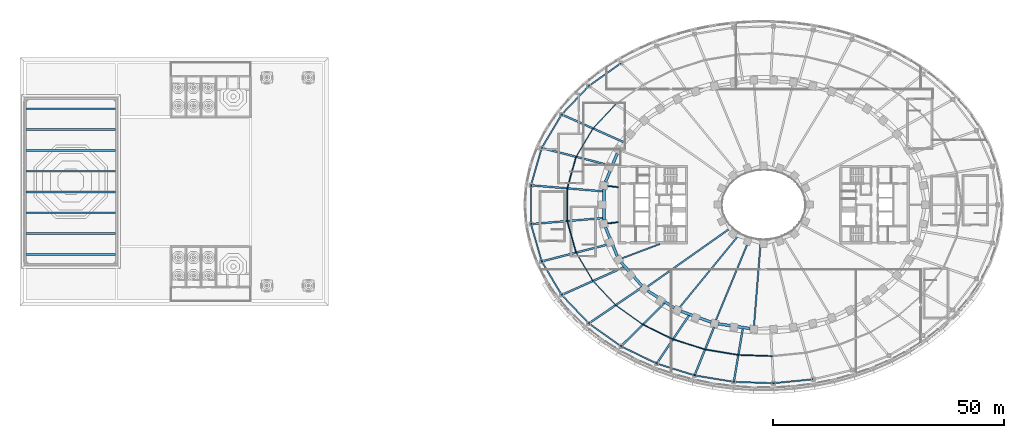
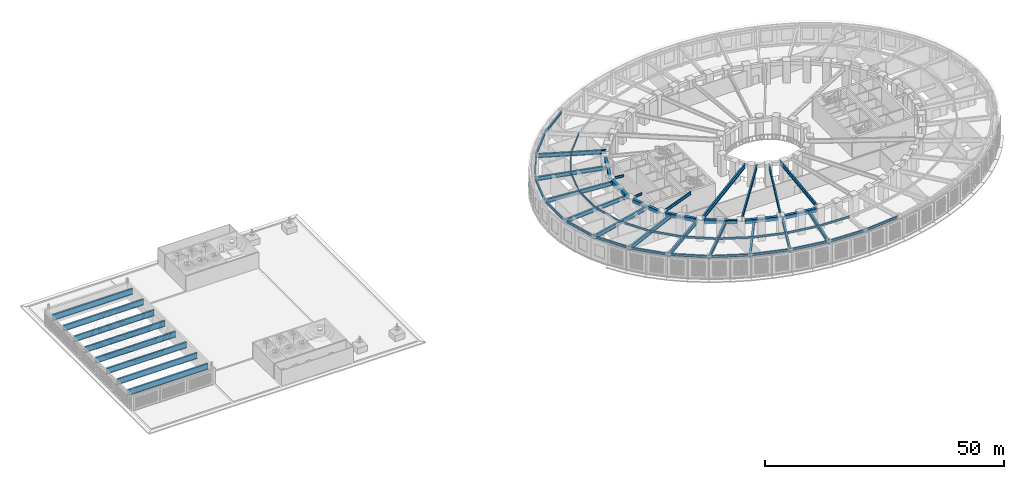
# One storey, part 3 of 63: 59 beams.
"""IFC4 building model written with IfcOpenShell, lengths in metres."""

import ifcopenshell
import ifcopenshell.guid

model = None  # the IFC model being written
_history = None  # IfcOwnerHistory: only IFC2X3 demands one
_inside = {}  # id of a spatial element -> (the spatial element, [elements in it])
_under = {}  # id of a project, library or spatial element -> (it, [spatial elements below it])
_declared = {}  # id of a project -> (the project, [libraries it declares])
_typed = {}  # id of a type object -> (the type object, [elements of that type])
_made_of = {}  # id of a material, layer set ... -> (it, [elements and type objects made of it])


def new_model(schema):
    """Start an empty IFC model of exactly this schema.

    Asked for "IFC4X3", IfcOpenShell would pick the latest addendum, in which some entities
    have other attributes; the version numbers below select the first issue.
    IFC2X3 requires an IfcOwnerHistory on every rooted entity: one is made here for all.
    """
    global model, _history
    if schema == "IFC4X3":
        model = ifcopenshell.file(schema_version=(4, 3, 0, 0))
    else:
        model = ifcopenshell.file(schema=schema)
    _inside.clear()
    _under.clear()
    _declared.clear()
    _typed.clear()
    _made_of.clear()
    _history = None
    if model.schema == "IFC2X3":
        org = make("IfcOrganization", Name="unknown")
        user = make(
            "IfcPersonAndOrganization",
            ThePerson=make("IfcPerson", FamilyName="unknown"),
            TheOrganization=org,
        )
        app = make(
            "IfcApplication",
            ApplicationDeveloper=org,
            Version="unknown",
            ApplicationFullName="unknown",
            ApplicationIdentifier="unknown",
        )
        _history = make(
            "IfcOwnerHistory",
            OwningUser=user,
            OwningApplication=app,
            ChangeAction="ADDED",
            CreationDate=0,
        )
    return model


def make(cls, **values):
    """One entity of the class cls with the attributes given. An attribute that is None is left unset."""
    return model.create_entity(
        cls, **{name: value for name, value in values.items() if value is not None}
    )


def rooted(cls, **values):
    """An entity with a GlobalId (a new one), such as an element, a storey or a relation."""
    return make(cls, GlobalId=ifcopenshell.guid.new(), OwnerHistory=_history, **values)


def si_unit(unit_type, name, prefix=None):
    """IfcSIUnit, for example si_unit("LENGTHUNIT", "METRE", prefix="MILLI")."""
    return make("IfcSIUnit", UnitType=unit_type, Prefix=prefix, Name=name)


def assignment(units):
    """IfcUnitAssignment: the units of a project."""
    return None if units is None else make("IfcUnitAssignment", Units=units)


def point(xyz):
    """IfcCartesianPoint."""
    return None if xyz is None else make("IfcCartesianPoint", Coordinates=xyz)


def direction(xyz):
    """IfcDirection."""
    return None if xyz is None else make("IfcDirection", DirectionRatios=xyz)


def frame(location, z_axis=None, x_axis=None):
    """IfcAxis2Placement3D, a coordinate frame: its origin and axes. An axis left out is left unset."""
    return make(
        "IfcAxis2Placement3D",
        Location=point(location),
        Axis=direction(z_axis),
        RefDirection=direction(x_axis),
    )


def frame_2d(location, x_axis=None):
    """IfcAxis2Placement2D, a coordinate frame in the plane: its origin and x axis."""
    return make(
        "IfcAxis2Placement2D", Location=point(location), RefDirection=direction(x_axis)
    )


def origin():
    """The frame at (0, 0, 0) with its axes left unset."""
    return frame((0.0, 0.0, 0.0))


def origin_2d():
    """The frame at (0, 0) in the plane with its x axis left unset."""
    return frame_2d((0.0, 0.0))


def place(relative_to, where):
    """IfcLocalPlacement: puts the frame where relative to a parent placement (None: the world)."""
    return make(
        "IfcLocalPlacement", PlacementRelTo=relative_to, RelativePlacement=where
    )


def context(
    kind, dimensions, precision=None, world=None, true_north=None, identifier=None
):
    """IfcGeometricRepresentationContext, for example the 3D "Model" context."""
    return make(
        "IfcGeometricRepresentationContext",
        ContextIdentifier=identifier,
        ContextType=kind,
        CoordinateSpaceDimension=dimensions,
        Precision=precision,
        WorldCoordinateSystem=world,
        TrueNorth=true_north,
    )


def subcontext(parent, identifier, kind, view, scale=None):
    """IfcGeometricRepresentationSubContext, for example "Body" below "Model"."""
    return make(
        "IfcGeometricRepresentationSubContext",
        ContextIdentifier=identifier,
        ContextType=kind,
        ParentContext=parent,
        TargetScale=scale,
        TargetView=view,
    )


def project(units=None, contexts=None):
    """IfcProject with its units and contexts."""
    return rooted(
        "IfcProject",
        Name="project",
        RepresentationContexts=contexts,
        UnitsInContext=assignment(units),
    )


def spatial(cls, under=None, at=None, **own):
    """A site, building, storey or space (cls), placed at a placement, below another one or the project."""
    s = rooted(cls, ObjectPlacement=at, **own)
    if under is not None:
        _under.setdefault(under.id(), (under, []))[1].append(s)
    return s


def profile(cls, at=None, kind="AREA", **sizes):
    """A parametric profile (cls). Its sizes go by their IFC names, for example OverallWidth=200.0."""
    return make(cls, ProfileType=kind, Position=at, **sizes)


def rectangle(**sizes):
    """IfcRectangleProfileDef."""
    return profile("IfcRectangleProfileDef", **sizes)


def i_section(**sizes):
    """IfcIShapeProfileDef."""
    return profile("IfcIShapeProfileDef", **sizes)


def extrude(swept, where, along, depth):
    """IfcExtrudedAreaSolid: the profile swept, set in the frame where, extruded along a direction by depth."""
    return make(
        "IfcExtrudedAreaSolid",
        SweptArea=swept,
        Position=where,
        ExtrudedDirection=direction(along),
        Depth=depth,
    )


def shape(context_of_items, identifier, shape_type, items):
    """IfcShapeRepresentation: the items that make up one representation, for example the "Body"."""
    return make(
        "IfcShapeRepresentation",
        ContextOfItems=context_of_items,
        RepresentationIdentifier=identifier,
        RepresentationType=shape_type,
        Items=items,
    )


def material(Name=None, Category=None):
    """IfcMaterial."""
    return make("IfcMaterial", Name=Name, Category=Category)


def material_profile(
    of_material, cross_section, Name=None, Category=None, Priority=None
):
    """IfcMaterialProfile: a cross section and its material."""
    return make(
        "IfcMaterialProfile",
        Name=Name,
        Material=of_material,
        Profile=cross_section,
        Priority=Priority,
        Category=Category,
    )


def profile_set(profiles, Name=None, composite=None):
    """IfcMaterialProfileSet."""
    return make(
        "IfcMaterialProfileSet",
        Name=Name,
        MaterialProfiles=profiles,
        CompositeProfile=composite,
    )


def made_of(thing, what):
    """Note that an element or type object is made of a material, layer set ...; save() writes the relation."""
    if what is not None:
        _made_of.setdefault(what.id(), (what, []))[1].append(thing)
    return thing


def type_object(cls, material=None, **own):
    """A type object (cls), such as IfcWallType, which elements share."""
    return made_of(rooted(cls, **own), material)


def element(
    cls,
    number,
    at=None,
    inside=None,
    cuts=None,
    type_object=None,
    material=None,
    context=None,
    identifier="Body",
    shape_type=None,
    held_by="IfcProductDefinitionShape",
    body=None,
    shapes=None,
    **own,
):
    """One element of the class cls, such as IfcWall. Its Tag is "e" and its number.

    at: its placement. inside: the storey or other place that contains it. cuts: it is an
    opening in that element (IfcRelVoidsElement). A single representation is given by context,
    identifier, shape_type and body (its items); several are given by shapes. held_by: the class
    of the entity that holds the representations. save() writes the other relations.
    """
    e = rooted(cls, Tag="e%d" % number, ObjectPlacement=at, **own)
    if body is not None:
        shapes = [shape(context, identifier, shape_type, body)]
    if shapes is not None:
        e.Representation = make(held_by, Representations=shapes)
    if inside is not None:
        _inside.setdefault(inside.id(), (inside, []))[1].append(e)
    if cuts is not None:
        rooted(
            "IfcRelVoidsElement", RelatingBuildingElement=cuts, RelatedOpeningElement=e
        )
    if type_object is not None:
        _typed.setdefault(type_object.id(), (type_object, []))[1].append(e)
    return made_of(e, material)


def aggregate(whole, parts):
    """IfcRelAggregates: a whole, such as a stair, and the parts it consists of."""
    return rooted("IfcRelAggregates", RelatingObject=whole, RelatedObjects=parts)


def save(model, path):
    """Write the relations noted so far, then the file.

    IfcRelAggregates (storeys below a building ...), IfcRelContainedInSpatialStructure (elements
    in a storey), IfcRelDefinesByType, IfcRelAssociatesMaterial and IfcRelDeclares: one each for
    every whole, place, type object, material and project.
    """
    for whole, parts in _under.values():
        aggregate(whole, parts)
    for where, things in _inside.values():
        rooted(
            "IfcRelContainedInSpatialStructure",
            RelatedElements=things,
            RelatingStructure=where,
        )
    for kind, things in _typed.values():
        rooted("IfcRelDefinesByType", RelatedObjects=things, RelatingType=kind)
    for what, things in _made_of.values():
        rooted("IfcRelAssociatesMaterial", RelatedObjects=things, RelatingMaterial=what)
    for by, libraries in _declared.values():
        rooted("IfcRelDeclares", RelatingContext=by, RelatedDefinitions=libraries)
    model.write(path)


model = new_model("IFC4")

# Units and contexts
model_context = context("Model", 3, precision=1e-05, world=origin(), true_north=direction((0.0, 1.0)))
body_context = subcontext(model_context, "Body", "Model", "MODEL_VIEW")
ifc_project = project(units=[si_unit("LENGTHUNIT", "METRE"), si_unit("AREAUNIT", "SQUARE_METRE"), si_unit("VOLUMEUNIT", "CUBIC_METRE"), si_unit("PLANEANGLEUNIT", "RADIAN"), si_unit("MASSUNIT", "GRAM", prefix="KILO")], contexts=[model_context])

# Site, building, storey
site_placement = place(None, origin())
site = spatial("IfcSite", under=ifc_project, at=site_placement, CompositionType="ELEMENT")
building_placement = place(site_placement, origin())
building = spatial("IfcBuilding", under=site, at=building_placement, Name="Noorbagh Ring Tower", CompositionType="ELEMENT")
storey_placement = place(building_placement, frame((0.0, 0.0, 25.0)))
storey = spatial("IfcBuildingStorey", under=building, at=storey_placement, Name="L04", CompositionType="ELEMENT", Elevation=25.0)

# Beams
ifc_material_1 = material(Name="Steel S355", Category="steel")
ifc_material_profile_1 = material_profile(ifc_material_1, i_section(OverallWidth=0.300048828125, OverallDepth=0.60009765625, WebThickness=0.015380859375, FlangeThickness=0.030029296875, FilletRadius=0.027099609375, at=origin_2d()), Name="HEB600")
ifc_profile_set_1 = profile_set([ifc_material_profile_1], Name="Steel S355")
beam_type_1 = type_object("IfcBeamType", Name="GND-EDGE-BEAM-HEB600", PredefinedType="BEAM", material=ifc_profile_set_1)
beam_1_placement = place(storey_placement, frame((-30.869384765625, 30.629150390625, 4.89990234375), z_axis=(-0.815104059745, -0.579314570667, 0.0), x_axis=(0.579314570667, -0.815104059745, 0.0)))
element("IfcBeam", 1, at=beam_1_placement, inside=storey, type_object=beam_type_1, Name="L04/bm/ERP-13", PredefinedType="BEAM", context=body_context, shape_type="SweptSolid", body=[
    extrude(i_section(OverallWidth=0.300048828125, OverallDepth=0.60009765625, WebThickness=0.015380859375, FlangeThickness=0.030029296875, FilletRadius=0.027099609375, at=origin_2d()), origin(), (0.0, 0.0, 1.0), 8.543212890625),
])
beam_2_placement = place(storey_placement, frame((-37.8330078125, 25.679931640625, 4.89990234375), z_axis=(-0.689738356688, -0.724058698804, 0.0), x_axis=(0.724058698804, -0.689738356688, 0.0)))
element("IfcBeam", 2, at=beam_2_placement, inside=storey, type_object=beam_type_1, Name="L04/bm/ERP-14", PredefinedType="BEAM", context=body_context, shape_type="SweptSolid", body=[
    extrude(i_section(OverallWidth=0.300048828125, OverallDepth=0.60009765625, WebThickness=0.015380859375, FlangeThickness=0.030029296875, FilletRadius=0.027099609375, at=origin_2d()), origin(), (0.0, 0.0, 1.0), 8.500732421875),
])
beam_3_placement = place(storey_placement, frame((-43.6962890625, 19.52490234375, 4.89990234375), z_axis=(-0.511999358166, -0.858985830638, 0.0), x_axis=(0.858985830638, -0.511999358166, 0.0)))
element("IfcBeam", 3, at=beam_3_placement, inside=storey, type_object=beam_type_1, Name="L04/bm/ERP-15", PredefinedType="BEAM", context=body_context, shape_type="SweptSolid", body=[
    extrude(i_section(OverallWidth=0.300048828125, OverallDepth=0.60009765625, WebThickness=0.015380859375, FlangeThickness=0.030029296875, FilletRadius=0.027099609375, at=origin_2d()), origin(), (0.0, 0.0, 1.0), 8.449462890625),
])
beam_4_placement = place(storey_placement, frame((-48.0224609375, 12.266845703125, 4.89990234375), z_axis=(-0.276646874617, -0.960971647222, 0.0), x_axis=(0.960971647222, -0.276646874617, 0.0)))
element("IfcBeam", 4, at=beam_4_placement, inside=storey, type_object=beam_type_1, Name="L04/bm/ERP-16", PredefinedType="BEAM", context=body_context, shape_type="SweptSolid", body=[
    extrude(i_section(OverallWidth=0.300048828125, OverallDepth=0.60009765625, WebThickness=0.015380859375, FlangeThickness=0.030029296875, FilletRadius=0.027099609375, at=origin_2d()), origin(), (0.0, 0.0, 1.0), 8.403076171875),
])
beam_5_placement = place(storey_placement, frame((-50.34716796875, 4.191650390625, 4.89990234375), z_axis=(0.0, -1.0, 0.0), x_axis=(1.0, 0.0, 0.0)))
element("IfcBeam", 5, at=beam_5_placement, inside=storey, type_object=beam_type_1, Name="L04/bm/ERP-17", PredefinedType="BEAM", context=body_context, shape_type="SweptSolid", body=[
    extrude(i_section(OverallWidth=0.300048828125, OverallDepth=0.60009765625, WebThickness=0.015380859375, FlangeThickness=0.030029296875, FilletRadius=0.027099609375, at=origin_2d()), origin(), (0.0, 0.0, 1.0), 8.38330078125),
])
beam_6_placement = place(storey_placement, frame((-50.34716796875, -4.191650390625, 4.89990234375), z_axis=(0.276646874617, -0.960971647222, 0.0), x_axis=(0.960971647222, 0.276646874617, 0.0)))
element("IfcBeam", 6, at=beam_6_placement, inside=storey, type_object=beam_type_1, Name="L04/bm/ERP-18", PredefinedType="BEAM", context=body_context, shape_type="SweptSolid", body=[
    extrude(i_section(OverallWidth=0.300048828125, OverallDepth=0.60009765625, WebThickness=0.015380859375, FlangeThickness=0.030029296875, FilletRadius=0.027099609375, at=origin_2d()), origin(), (0.0, 0.0, 1.0), 8.403076171875),
])
beam_7_placement = place(storey_placement, frame((-48.0224609375, -12.266845703125, 4.89990234375), z_axis=(0.511999358166, -0.858985830638, 0.0), x_axis=(0.858985830638, 0.511999358166, 0.0)))
element("IfcBeam", 7, at=beam_7_placement, inside=storey, type_object=beam_type_1, Name="L04/bm/ERP-19", PredefinedType="BEAM", context=body_context, shape_type="SweptSolid", body=[
    extrude(i_section(OverallWidth=0.300048828125, OverallDepth=0.60009765625, WebThickness=0.015380859375, FlangeThickness=0.030029296875, FilletRadius=0.027099609375, at=origin_2d()), origin(), (0.0, 0.0, 1.0), 8.449462890625),
])
beam_8_placement = place(storey_placement, frame((-43.6962890625, -19.52490234375, 4.89990234375), z_axis=(0.689738356688, -0.724058698804, 0.0), x_axis=(0.724058698804, 0.689738356688, 0.0)))
element("IfcBeam", 8, at=beam_8_placement, inside=storey, type_object=beam_type_1, Name="L04/bm/ERP-20", PredefinedType="BEAM", context=body_context, shape_type="SweptSolid", body=[
    extrude(i_section(OverallWidth=0.300048828125, OverallDepth=0.60009765625, WebThickness=0.015380859375, FlangeThickness=0.030029296875, FilletRadius=0.027099609375, at=origin_2d()), origin(), (0.0, 0.0, 1.0), 8.500732421875),
])
beam_9_placement = place(storey_placement, frame((-37.8330078125, -25.679931640625, 4.89990234375), z_axis=(0.815104059745, -0.579314570667, 0.0), x_axis=(0.579314570667, 0.815104059745, 0.0)))
element("IfcBeam", 9, at=beam_9_placement, inside=storey, type_object=beam_type_1, Name="L04/bm/ERP-21", PredefinedType="BEAM", context=body_context, shape_type="SweptSolid", body=[
    extrude(i_section(OverallWidth=0.300048828125, OverallDepth=0.60009765625, WebThickness=0.015380859375, FlangeThickness=0.030029296875, FilletRadius=0.027099609375, at=origin_2d()), origin(), (0.0, 0.0, 1.0), 8.543212890625),
])
beam_10_placement = place(storey_placement, frame((-30.869384765625, -30.629150390625, 4.89990234375), z_axis=(0.89994920641, -0.435994754421, 0.0), x_axis=(0.435994754421, 0.89994920641, 0.0)))
element("IfcBeam", 10, at=beam_10_placement, inside=storey, type_object=beam_type_1, Name="L04/bm/ERP-22", PredefinedType="BEAM", context=body_context, shape_type="SweptSolid", body=[
    extrude(i_section(OverallWidth=0.300048828125, OverallDepth=0.60009765625, WebThickness=0.015380859375, FlangeThickness=0.030029296875, FilletRadius=0.027099609375, at=origin_2d()), origin(), (0.0, 0.0, 1.0), 8.57470703125),
])
beam_11_placement = place(storey_placement, frame((-23.152587890625, -34.36767578125, 4.89990234375), z_axis=(0.954717204091, -0.297514806713, 0.0), x_axis=(0.297514806713, 0.954717204091, 0.0)))
element("IfcBeam", 11, at=beam_11_placement, inside=storey, type_object=beam_type_1, Name="L04/bm/ERP-23", PredefinedType="BEAM", context=body_context, shape_type="SweptSolid", body=[
    extrude(i_section(OverallWidth=0.300048828125, OverallDepth=0.60009765625, WebThickness=0.015380859375, FlangeThickness=0.030029296875, FilletRadius=0.027099609375, at=origin_2d()), origin(), (0.0, 0.0, 1.0), 8.595703125),
])
beam_12_placement = place(storey_placement, frame((-14.946044921875, -36.925048828125, 4.89990234375), z_axis=(0.986523163949, -0.163621658075, 0.0), x_axis=(0.163621658075, 0.986523163949, 0.0)))
element("IfcBeam", 12, at=beam_12_placement, inside=storey, type_object=beam_type_1, Name="L04/bm/ERP-24", PredefinedType="BEAM", context=body_context, shape_type="SweptSolid", body=[
    extrude(i_section(OverallWidth=0.300048828125, OverallDepth=0.60009765625, WebThickness=0.015380859375, FlangeThickness=0.030029296875, FilletRadius=0.027099609375, at=origin_2d()), origin(), (0.0, 0.0, 1.0), 8.60791015625),
])
beam_13_placement = place(storey_placement, frame((-6.4541015625, -38.33349609375, 4.89990234375), z_axis=(0.999468589483, -0.032596604688, 0.0), x_axis=(0.032596604688, 0.999468589483, 0.0)))
element("IfcBeam", 13, at=beam_13_placement, inside=storey, type_object=beam_type_1, Name="L04/bm/ERP-25", PredefinedType="BEAM", context=body_context, shape_type="SweptSolid", body=[
    extrude(i_section(OverallWidth=0.300048828125, OverallDepth=0.60009765625, WebThickness=0.015380859375, FlangeThickness=0.030029296875, FilletRadius=0.027099609375, at=origin_2d()), origin(), (0.0, 0.0, 1.0), 8.61328125),
])
beam_14_placement = place(storey_placement, frame((2.154541015625, -38.6142578125, 4.89990234375), z_axis=(0.9951967317, 0.097895174616, 0.0), x_axis=(-0.097895174616, 0.9951967317, 0.0)))
element("IfcBeam", 14, at=beam_14_placement, inside=storey, type_object=beam_type_1, Name="L04/bm/ERP-26", PredefinedType="BEAM", context=body_context, shape_type="SweptSolid", body=[
    extrude(i_section(OverallWidth=0.300048828125, OverallDepth=0.60009765625, WebThickness=0.015380859375, FlangeThickness=0.030029296875, FilletRadius=0.027099609375, at=origin_2d()), origin(), (0.0, 0.0, 1.0), 8.611328125),
])
ifc_material_2 = material(Name="Steel S355", Category="steel")
ifc_material_profile_2 = material_profile(ifc_material_2, i_section(OverallWidth=0.39990234375, OverallDepth=1.0, WebThickness=0.01611328125, FlangeThickness=0.0400390625, at=origin_2d()), Name="PG1000x400x16x40")
ifc_profile_set_2 = profile_set([ifc_material_profile_2], Name="Steel S355")
beam_type_2 = type_object("IfcBeamType", Name="GND-GIRDER-PG1000x400x16x40", PredefinedType="BEAM", material=ifc_profile_set_2)
beam_15_placement = place(storey_placement, frame((-43.6962890625, 19.52490234375, 4.699951171875), z_axis=(0.91299879945, -0.4079622436, 0.0), x_axis=(0.4079622436, 0.91299879945, 0.0)))
element("IfcBeam", 15, at=beam_15_placement, inside=storey, type_object=beam_type_2, Name="L04/bm/GRP-15", PredefinedType="BEAM", context=body_context, shape_type="SweptSolid", body=[
    extrude(i_section(OverallWidth=0.39990234375, OverallDepth=1.0, WebThickness=0.01611328125, FlangeThickness=0.0400390625, at=origin_2d()), origin(), (0.0, 0.0, 1.0), 14.8359375),
])
beam_16_placement = place(storey_placement, frame((-48.0224609375, 12.266845703125, 4.699951171875), z_axis=(0.968889089752, -0.247495316642, 0.0), x_axis=(0.247495316642, 0.968889089752, 0.0)))
element("IfcBeam", 16, at=beam_16_placement, inside=storey, type_object=beam_type_2, Name="L04/bm/GRP-16", PredefinedType="BEAM", context=body_context, shape_type="SweptSolid", body=[
    extrude(i_section(OverallWidth=0.39990234375, OverallDepth=1.0, WebThickness=0.01611328125, FlangeThickness=0.0400390625, at=origin_2d()), origin(), (0.0, 0.0, 1.0), 15.35986328125),
])
for number, where, z_axis, x_axis, name in (
    (17, (-50.34716796875, 4.191650390625, 4.699951171875), (0.996552811546, -0.082960796767, 0.0), (0.082960796767, 0.996552811546, 0.0), "L04/bm/GRP-17"),
    (18, (-50.34716796875, -4.191650390625, 4.699951171875), (0.996552811546, 0.082960796767, 0.0), (-0.082960796767, 0.996552811546, 0.0), "L04/bm/GRP-18"),
):
    element("IfcBeam", number, at=place(storey_placement, frame(where, z_axis=z_axis, x_axis=x_axis)), inside=storey, type_object=beam_type_2, Name=name, PredefinedType="BEAM", context=body_context, shape_type="SweptSolid", body=[
        extrude(i_section(OverallWidth=0.39990234375, OverallDepth=1.0, WebThickness=0.01611328125, FlangeThickness=0.0400390625, at=origin_2d()), origin(), (0.0, 0.0, 1.0), 15.7470703125),
    ])
beam_17_placement = place(storey_placement, frame((-48.0224609375, -12.266845703125, 4.699951171875), z_axis=(0.968889089752, 0.247495316642, 0.0), x_axis=(-0.247495316642, 0.968889089752, 0.0)))
element("IfcBeam", 19, at=beam_17_placement, inside=storey, type_object=beam_type_2, Name="L04/bm/GRP-19", PredefinedType="BEAM", context=body_context, shape_type="SweptSolid", body=[
    extrude(i_section(OverallWidth=0.39990234375, OverallDepth=1.0, WebThickness=0.01611328125, FlangeThickness=0.0400390625, at=origin_2d()), origin(), (0.0, 0.0, 1.0), 15.35986328125),
])
beam_18_placement = place(storey_placement, frame((-43.6962890625, -19.52490234375, 4.699951171875), z_axis=(0.91299879945, 0.4079622436, 0.0), x_axis=(-0.4079622436, 0.91299879945, 0.0)))
element("IfcBeam", 20, at=beam_18_placement, inside=storey, type_object=beam_type_2, Name="L04/bm/GRP-20", PredefinedType="BEAM", context=body_context, shape_type="SweptSolid", body=[
    extrude(i_section(OverallWidth=0.39990234375, OverallDepth=1.0, WebThickness=0.01611328125, FlangeThickness=0.0400390625, at=origin_2d()), origin(), (0.0, 0.0, 1.0), 14.8359375),
])
beam_19_placement = place(storey_placement, frame((-37.8330078125, -25.679931640625, 4.699951171875), z_axis=(0.82739656341, 0.561618132593, 0.0), x_axis=(-0.561618132593, 0.82739656341, 0.0)))
element("IfcBeam", 21, at=beam_19_placement, inside=storey, type_object=beam_type_2, Name="L04/bm/GRP-21", PredefinedType="BEAM", context=body_context, shape_type="SweptSolid", body=[
    extrude(i_section(OverallWidth=0.39990234375, OverallDepth=1.0, WebThickness=0.01611328125, FlangeThickness=0.0400390625, at=origin_2d()), origin(), (0.0, 0.0, 1.0), 14.06640625),
])
beam_20_placement = place(storey_placement, frame((-30.869384765625, -30.629150390625, 4.699951171875), z_axis=(0.70986613718, 0.704336615039, 0.0), x_axis=(-0.704336615039, 0.70986613718, 0.0)))
element("IfcBeam", 22, at=beam_20_placement, inside=storey, type_object=beam_type_2, Name="L04/bm/GRP-22", PredefinedType="BEAM", context=body_context, shape_type="SweptSolid", body=[
    extrude(i_section(OverallWidth=0.39990234375, OverallDepth=1.0, WebThickness=0.01611328125, FlangeThickness=0.0400390625, at=origin_2d()), origin(), (0.0, 0.0, 1.0), 13.333984375),
])
beam_21_placement = place(storey_placement, frame((-23.152587890625, -34.36767578125, 4.699951171875), z_axis=(0.558711358029, 0.829362175656, 0.0), x_axis=(-0.829362175656, 0.558711358029, 0.0)))
element("IfcBeam", 23, at=beam_21_placement, inside=storey, type_object=beam_type_2, Name="L04/bm/GRP-23", PredefinedType="BEAM", context=body_context, shape_type="SweptSolid", body=[
    extrude(i_section(OverallWidth=0.39990234375, OverallDepth=1.0, WebThickness=0.01611328125, FlangeThickness=0.0400390625, at=origin_2d()), origin(), (0.0, 0.0, 1.0), 12.6630859375),
])
beam_22_placement = place(storey_placement, frame((-14.946044921875, -36.925048828125, 4.699951171875), z_axis=(0.375201842514, 0.926943135998, 0.0), x_axis=(-0.926943135998, 0.375201842514, 0.0)))
element("IfcBeam", 24, at=beam_22_placement, inside=storey, type_object=beam_type_2, Name="L04/bm/GRP-24", PredefinedType="BEAM", context=body_context, shape_type="SweptSolid", body=[
    extrude(i_section(OverallWidth=0.39990234375, OverallDepth=1.0, WebThickness=0.01611328125, FlangeThickness=0.0400390625, at=origin_2d()), origin(), (0.0, 0.0, 1.0), 12.094970703125),
])
beam_23_placement = place(storey_placement, frame((-6.4541015625, -38.33349609375, 4.699951171875), z_axis=(0.166032765637, 0.986120236449, 0.0), x_axis=(-0.986120236449, 0.166032765637, 0.0)))
element("IfcBeam", 25, at=beam_23_placement, inside=storey, type_object=beam_type_2, Name="L04/bm/GRP-25", PredefinedType="BEAM", context=body_context, shape_type="SweptSolid", body=[
    extrude(i_section(OverallWidth=0.39990234375, OverallDepth=1.0, WebThickness=0.01611328125, FlangeThickness=0.0400390625, at=origin_2d()), origin(), (0.0, 0.0, 1.0), 11.82373046875),
])
ifc_material_3 = material(Name="Steel S355", Category="steel")
ifc_material_profile_3 = material_profile(ifc_material_3, i_section(OverallWidth=0.199951171875, OverallDepth=0.5, WebThickness=0.01025390625, FlangeThickness=0.01611328125, FilletRadius=0.02099609375, at=origin_2d()), Name="IPE500")
ifc_profile_set_3 = profile_set([ifc_material_profile_3], Name="Steel S355")
beam_type_3 = type_object("IfcBeamType", Name="GND-MID-BEAM-IPE500", PredefinedType="JOIST", material=ifc_profile_set_3)
beam_24_placement = place(storey_placement, frame((-32.013916015625, 21.72998046875, 4.949951171875), z_axis=(-0.684360968268, -0.729143377609, 0.0), x_axis=(0.729143377609, -0.684360968268, 0.0)))
element("IfcBeam", 26, at=beam_24_placement, inside=storey, type_object=beam_type_3, Name="L04/bm/MRP-14", PredefinedType="JOIST", context=body_context, shape_type="SweptSolid", body=[
    extrude(i_section(OverallWidth=0.199951171875, OverallDepth=0.5, WebThickness=0.01025390625, FlangeThickness=0.01611328125, FilletRadius=0.02099609375, at=origin_2d()), origin(), (0.0, 0.0, 1.0), 7.174560546875),
])
beam_25_placement = place(storey_placement, frame((-36.923828125, 16.498779296875, 4.949951171875), z_axis=(-0.512221226457, -0.858853546984, 0.0), x_axis=(0.858853546984, -0.512221226457, 0.0)))
element("IfcBeam", 27, at=beam_25_placement, inside=storey, type_object=beam_type_3, Name="L04/bm/MRP-15", PredefinedType="JOIST", context=body_context, shape_type="SweptSolid", body=[
    extrude(i_section(OverallWidth=0.199951171875, OverallDepth=0.5, WebThickness=0.01025390625, FlangeThickness=0.01611328125, FilletRadius=0.02099609375, at=origin_2d()), origin(), (0.0, 0.0, 1.0), 7.140380859375),
])
beam_26_placement = place(storey_placement, frame((-40.581298828125, 10.3662109375, 4.949951171875), z_axis=(-0.270635919065, -0.962681774686, 0.0), x_axis=(0.962681774686, -0.270635919065, 0.0)))
element("IfcBeam", 28, at=beam_26_placement, inside=storey, type_object=beam_type_3, Name="L04/bm/MRP-16", PredefinedType="JOIST", context=body_context, shape_type="SweptSolid", body=[
    extrude(i_section(OverallWidth=0.199951171875, OverallDepth=0.5, WebThickness=0.01025390625, FlangeThickness=0.01611328125, FilletRadius=0.02099609375, at=origin_2d()), origin(), (0.0, 0.0, 1.0), 7.09228515625),
])
beam_27_placement = place(storey_placement, frame((-42.500732421875, 3.53857421875, 4.949951171875), z_axis=(0.0, -1.0, 0.0), x_axis=(1.0, 0.0, 0.0)))
element("IfcBeam", 29, at=beam_27_placement, inside=storey, type_object=beam_type_3, Name="L04/bm/MRP-17", PredefinedType="JOIST", context=body_context, shape_type="SweptSolid", body=[
    extrude(i_section(OverallWidth=0.199951171875, OverallDepth=0.5, WebThickness=0.01025390625, FlangeThickness=0.01611328125, FilletRadius=0.02099609375, at=origin_2d()), origin(), (0.0, 0.0, 1.0), 7.0771484375),
])
beam_28_placement = place(storey_placement, frame((-42.500732421875, -3.53857421875, 4.949951171875), z_axis=(0.270635919065, -0.962681774686, 0.0), x_axis=(0.962681774686, 0.270635919065, 0.0)))
element("IfcBeam", 30, at=beam_28_placement, inside=storey, type_object=beam_type_3, Name="L04/bm/MRP-18", PredefinedType="JOIST", context=body_context, shape_type="SweptSolid", body=[
    extrude(i_section(OverallWidth=0.199951171875, OverallDepth=0.5, WebThickness=0.01025390625, FlangeThickness=0.01611328125, FilletRadius=0.02099609375, at=origin_2d()), origin(), (0.0, 0.0, 1.0), 7.09228515625),
])
beam_29_placement = place(storey_placement, frame((-40.581298828125, -10.3662109375, 4.949951171875), z_axis=(0.512221226457, -0.858853546984, 0.0), x_axis=(0.858853546984, 0.512221226457, 0.0)))
element("IfcBeam", 31, at=beam_29_placement, inside=storey, type_object=beam_type_3, Name="L04/bm/MRP-19", PredefinedType="JOIST", context=body_context, shape_type="SweptSolid", body=[
    extrude(i_section(OverallWidth=0.199951171875, OverallDepth=0.5, WebThickness=0.01025390625, FlangeThickness=0.01611328125, FilletRadius=0.02099609375, at=origin_2d()), origin(), (0.0, 0.0, 1.0), 7.140380859375),
])
beam_30_placement = place(storey_placement, frame((-36.923828125, -16.498779296875, 4.949951171875), z_axis=(0.684360968268, -0.729143377609, 0.0), x_axis=(0.729143377609, 0.684360968268, 0.0)))
element("IfcBeam", 32, at=beam_30_placement, inside=storey, type_object=beam_type_3, Name="L04/bm/MRP-20", PredefinedType="JOIST", context=body_context, shape_type="SweptSolid", body=[
    extrude(i_section(OverallWidth=0.199951171875, OverallDepth=0.5, WebThickness=0.01025390625, FlangeThickness=0.01611328125, FilletRadius=0.02099609375, at=origin_2d()), origin(), (0.0, 0.0, 1.0), 7.174560546875),
])
beam_31_placement = place(storey_placement, frame((-32.013916015625, -21.72998046875, 4.949951171875), z_axis=(0.813381743113, -0.581730298308, 0.0), x_axis=(0.581730298308, 0.813381743113, 0.0)))
element("IfcBeam", 33, at=beam_31_placement, inside=storey, type_object=beam_type_3, Name="L04/bm/MRP-21", PredefinedType="JOIST", context=body_context, shape_type="SweptSolid", body=[
    extrude(i_section(OverallWidth=0.199951171875, OverallDepth=0.5, WebThickness=0.01025390625, FlangeThickness=0.01611328125, FilletRadius=0.02099609375, at=origin_2d()), origin(), (0.0, 0.0, 1.0), 7.2255859375),
])
beam_32_placement = place(storey_placement, frame((-26.13671875, -25.933349609375, 4.949951171875), z_axis=(0.898658812704, -0.438648308271, 0.0), x_axis=(0.438648308271, 0.898658812704, 0.0)))
element("IfcBeam", 34, at=beam_32_placement, inside=storey, type_object=beam_type_3, Name="L04/bm/MRP-22", PredefinedType="JOIST", context=body_context, shape_type="SweptSolid", body=[
    extrude(i_section(OverallWidth=0.199951171875, OverallDepth=0.5, WebThickness=0.01025390625, FlangeThickness=0.01611328125, FilletRadius=0.02099609375, at=origin_2d()), origin(), (0.0, 0.0, 1.0), 7.257080078125),
])
beam_33_placement = place(storey_placement, frame((-19.614990234375, -29.11669921875, 4.949951171875), z_axis=(0.9531202752, -0.302591706765, 0.0), x_axis=(0.302591706765, 0.9531202752, 0.0)))
element("IfcBeam", 35, at=beam_33_placement, inside=storey, type_object=beam_type_3, Name="L04/bm/MRP-23", PredefinedType="JOIST", context=body_context, shape_type="SweptSolid", body=[
    extrude(i_section(OverallWidth=0.199951171875, OverallDepth=0.5, WebThickness=0.01025390625, FlangeThickness=0.01611328125, FilletRadius=0.02099609375, at=origin_2d()), origin(), (0.0, 0.0, 1.0), 7.279296875),
])
beam_34_placement = place(storey_placement, frame((-12.677001953125, -31.3193359375, 4.949951171875), z_axis=(0.986756598534, -0.162207938309, 0.0), x_axis=(0.162207938309, 0.986756598534, 0.0)))
element("IfcBeam", 36, at=beam_34_placement, inside=storey, type_object=beam_type_3, Name="L04/bm/MRP-24", PredefinedType="JOIST", context=body_context, shape_type="SweptSolid", body=[
    extrude(i_section(OverallWidth=0.199951171875, OverallDepth=0.5, WebThickness=0.01025390625, FlangeThickness=0.01611328125, FilletRadius=0.02099609375, at=origin_2d()), origin(), (0.0, 0.0, 1.0), 7.30126953125),
])
beam_35_placement = place(storey_placement, frame((-5.472412109375, -32.503662109375, 4.949951171875), z_axis=(0.999402620435, -0.034560125398, 0.0), x_axis=(0.034560125398, 0.999402620435, 0.0)))
element("IfcBeam", 37, at=beam_35_placement, inside=storey, type_object=beam_type_3, Name="L04/bm/MRP-25", PredefinedType="JOIST", context=body_context, shape_type="SweptSolid", body=[
    extrude(i_section(OverallWidth=0.199951171875, OverallDepth=0.5, WebThickness=0.01025390625, FlangeThickness=0.01611328125, FilletRadius=0.02099609375, at=origin_2d()), origin(), (0.0, 0.0, 1.0), 7.304443359375),
])
ifc_material_4 = material(Name="Steel S355", Category="steel")
ifc_material_profile_4 = material_profile(ifc_material_4, i_section(OverallWidth=0.219970703125, OverallDepth=0.60009765625, WebThickness=0.011962890625, FlangeThickness=0.01904296875, FilletRadius=0.02392578125, at=origin_2d()), Name="IPE600")
ifc_profile_set_4 = profile_set([ifc_material_profile_4], Name="Steel S355")
beam_type_4 = type_object("IfcBeamType", Name="STR-RAD-IPE600", PredefinedType="BEAM", material=ifc_profile_set_4)
for number, where, z_axis, x_axis, name in (
    (38, (-33.75, 4.057373046875, 4.89990234375), (0.992846993178, -0.11939366875, 0.0), (0.11939366875, 0.992846993178, 0.0), "L04/bm/RD23"),
    (39, (-33.75, -4.057373046875, 4.89990234375), (0.992846993178, 0.11939366875, 0.0), (-0.11939366875, 0.992846993178, 0.0), "L04/bm/RD25"),
):
    element("IfcBeam", number, at=place(storey_placement, frame(where, z_axis=z_axis, x_axis=x_axis)), inside=storey, type_object=beam_type_4, Name=name, PredefinedType="BEAM", context=body_context, shape_type="SweptSolid", body=[
        extrude(i_section(OverallWidth=0.219970703125, OverallDepth=0.60009765625, WebThickness=0.011962890625, FlangeThickness=0.01904296875, FilletRadius=0.02392578125, at=origin_2d()), origin(), (0.0, 0.0, 1.0), 2.2861328125),
    ])
ifc_material_5 = material(Name="Steel S355", Category="steel")
ifc_material_profile_5 = material_profile(ifc_material_5, i_section(OverallWidth=0.35009765625, OverallDepth=1.050048828125, WebThickness=0.01806640625, FlangeThickness=0.033935546875, at=origin_2d()), Name="PG1050x350x18x34")
ifc_profile_set_5 = profile_set([ifc_material_profile_5], Name="Steel S355")
beam_type_5 = type_object("IfcBeamType", Name="STR-RAD-PG1050x350x18x34", PredefinedType="BEAM", material=ifc_profile_set_5)
beam_36_placement = place(storey_placement, frame((-25.12353515625, -17.715576171875, 4.675048828125), z_axis=(0.817253259362, 0.576278673961, 0.0), x_axis=(-0.576278673961, 0.817253259362, 0.0)))
element("IfcBeam", 40, at=beam_36_placement, inside=storey, type_object=beam_type_5, Name="L04/bm/RD29", PredefinedType="BEAM", context=body_context, shape_type="SweptSolid", body=[
    extrude(i_section(OverallWidth=0.35009765625, OverallDepth=1.050048828125, WebThickness=0.01806640625, FlangeThickness=0.033935546875, at=origin_2d()), origin(), (0.0, 0.0, 1.0), 21.471435546875),
])
ifc_material_6 = material(Name="Steel S355", Category="steel")
ifc_material_profile_6 = material_profile(ifc_material_6, i_section(OverallWidth=0.300048828125, OverallDepth=0.75, WebThickness=0.013916015625, FlangeThickness=0.02587890625, at=origin_2d()), Name="PG750x300x14x26")
ifc_profile_set_6 = profile_set([ifc_material_profile_6], Name="Steel S355")
beam_type_6 = type_object("IfcBeamType", Name="STR-RAD-PG750x300x14x26", PredefinedType="BEAM", material=ifc_profile_set_6)
beam_37_placement = place(storey_placement, frame((-30.619873046875, -11.5888671875, 4.824951171875), z_axis=(0.935258038122, 0.353966668102, 0.0), x_axis=(-0.353966668102, 0.935258038122, 0.0)))
element("IfcBeam", 41, at=beam_37_placement, inside=storey, type_object=beam_type_6, Name="L04/bm/RD27", PredefinedType="BEAM", context=body_context, shape_type="SweptSolid", body=[
    extrude(i_section(OverallWidth=0.300048828125, OverallDepth=0.75, WebThickness=0.013916015625, FlangeThickness=0.02587890625, at=origin_2d()), origin(), (0.0, 0.0, 1.0), 8.746337890625),
])
ifc_material_7 = material(Name="Steel S355", Category="steel")
ifc_material_profile_7 = material_profile(ifc_material_7, i_section(OverallWidth=0.320068359375, OverallDepth=0.949951171875, WebThickness=0.01611328125, FlangeThickness=0.030029296875, at=origin_2d()), Name="PG950x320x16x30")
ifc_profile_set_7 = profile_set([ifc_material_profile_7], Name="Steel S355")
beam_type_7 = type_object("IfcBeamType", Name="STR-RAD-PG950x320x16x30", PredefinedType="BEAM", material=ifc_profile_set_7)
beam_38_placement = place(storey_placement, frame((-18.138427734375, -22.164794921875, 4.72509765625), z_axis=(0.633308995725, 0.773899034715, 0.0), x_axis=(-0.773899034715, 0.633308995725, 0.0)))
element("IfcBeam", 42, at=beam_38_placement, inside=storey, type_object=beam_type_7, Name="L04/bm/RD31", PredefinedType="BEAM", context=body_context, shape_type="SweptSolid", body=[
    extrude(i_section(OverallWidth=0.320068359375, OverallDepth=0.949951171875, WebThickness=0.01611328125, FlangeThickness=0.030029296875, at=origin_2d()), origin(), (0.0, 0.0, 1.0), 19.603759765625),
])
beam_39_placement = place(storey_placement, frame((-10.311767578125, -24.9443359375, 4.72509765625), z_axis=(0.382034392842, 0.924148106467, 0.0), x_axis=(-0.924148106467, 0.382034392842, 0.0)))
element("IfcBeam", 43, at=beam_39_placement, inside=storey, type_object=beam_type_7, Name="L04/bm/RD33", PredefinedType="BEAM", context=body_context, shape_type="SweptSolid", body=[
    extrude(i_section(OverallWidth=0.320068359375, OverallDepth=0.949951171875, WebThickness=0.01611328125, FlangeThickness=0.030029296875, at=origin_2d()), origin(), (0.0, 0.0, 1.0), 18.548583984375),
])
beam_40_placement = place(storey_placement, frame((-2.081298828125, -26.1201171875, 4.72509765625), z_axis=(0.079425808882, 0.996840780107, 0.0), x_axis=(-0.996840780107, 0.079425808882, 0.0)))
element("IfcBeam", 44, at=beam_40_placement, inside=storey, type_object=beam_type_7, Name="L04/bm/RD35", PredefinedType="BEAM", context=body_context, shape_type="SweptSolid", body=[
    extrude(i_section(OverallWidth=0.320068359375, OverallDepth=0.949951171875, WebThickness=0.01611328125, FlangeThickness=0.030029296875, at=origin_2d()), origin(), (0.0, 0.0, 1.0), 18.227783203125),
])
ifc_material_8 = material(Name="Concrete C40/50", Category="concrete")
ifc_material_profile_8 = material_profile(ifc_material_8, rectangle(XDim=0.60009765625, YDim=0.89990234375, at=origin_2d()), Name="RC600x900")
ifc_profile_set_8 = profile_set([ifc_material_profile_8], Name="Concrete C40/50")
beam_type_8 = type_object("IfcBeamType", Name="STR-SB-RC600x900-C40-50", PredefinedType="BEAM", material=ifc_profile_set_8)
beam_41_placement = place(storey_placement, frame((-31.665283203125, 11.137451171875, 4.75), z_axis=(-0.378998692222, -0.925397207308, 0.0), x_axis=(0.925397207308, -0.378998692222, 0.0)))
element("IfcBeam", 45, at=beam_41_placement, inside=storey, type_object=beam_type_8, Name="L04/bm/SP21", PredefinedType="BEAM", context=body_context, shape_type="SweptSolid", body=[
    extrude(rectangle(XDim=0.60009765625, YDim=0.89990234375, at=origin_2d()), origin(), (0.0, 0.0, 1.0), 6.75537109375),
])
beam_42_placement = place(storey_placement, frame((-34.52685546875, 3.354736328125, 4.75), z_axis=(0.0, -1.0, 0.0), x_axis=(1.0, 0.0, 0.0)))
element("IfcBeam", 46, at=beam_42_placement, inside=storey, type_object=beam_type_8, Name="L04/bm/SP23", PredefinedType="BEAM", context=body_context, shape_type="SweptSolid", body=[
    extrude(rectangle(XDim=0.60009765625, YDim=0.89990234375, at=origin_2d()), origin(), (0.0, 0.0, 1.0), 6.70947265625),
])
beam_43_placement = place(storey_placement, frame((-34.2255859375, -4.885986328125, 4.75), z_axis=(0.378998692222, -0.925397207308, 0.0), x_axis=(0.925397207308, 0.378998692222, 0.0)))
element("IfcBeam", 47, at=beam_43_placement, inside=storey, type_object=beam_type_8, Name="L04/bm/SP25", PredefinedType="BEAM", context=body_context, shape_type="SweptSolid", body=[
    extrude(rectangle(XDim=0.60009765625, YDim=0.89990234375, at=origin_2d()), origin(), (0.0, 0.0, 1.0), 6.75537109375),
])
beam_44_placement = place(storey_placement, frame((-30.84130859375, -12.462890625, 4.75), z_axis=(0.662635440904, -0.748942102206, 0.0), x_axis=(0.748942102206, 0.662635440904, 0.0)))
element("IfcBeam", 48, at=beam_44_placement, inside=storey, type_object=beam_type_8, Name="L04/bm/SP27", PredefinedType="BEAM", context=body_context, shape_type="SweptSolid", body=[
    extrude(rectangle(XDim=0.60009765625, YDim=0.89990234375, at=origin_2d()), origin(), (0.0, 0.0, 1.0), 6.845703125),
])
beam_45_placement = place(storey_placement, frame((-25.12158203125, -18.60693359375, 4.75), z_axis=(0.840249989986, -0.542199183261, 0.0), x_axis=(0.542199183261, 0.840249989986, 0.0)))
element("IfcBeam", 49, at=beam_45_placement, inside=storey, type_object=beam_type_8, Name="L04/bm/SP29", PredefinedType="BEAM", context=body_context, shape_type="SweptSolid", body=[
    extrude(rectangle(XDim=0.60009765625, YDim=0.89990234375, at=origin_2d()), origin(), (0.0, 0.0, 1.0), 6.9208984375),
])
beam_46_placement = place(storey_placement, frame((-17.90771484375, -23.051025390625, 4.75), z_axis=(0.941030272182, -0.338322371175, 0.0), x_axis=(0.338322371175, 0.941030272182, 0.0)))
element("IfcBeam", 50, at=beam_46_placement, inside=storey, type_object=beam_type_8, Name="L04/bm/SP31", PredefinedType="BEAM", context=body_context, shape_type="SweptSolid", body=[
    extrude(rectangle(XDim=0.60009765625, YDim=0.89990234375, at=origin_2d()), origin(), (0.0, 0.0, 1.0), 6.96728515625),
])
beam_47_placement = place(storey_placement, frame((-9.83740234375, -25.785888671875, 4.75), z_axis=(0.989714845194, -0.143054273623, 0.0), x_axis=(0.143054273623, 0.989714845194, 0.0)))
element("IfcBeam", 51, at=beam_47_placement, inside=storey, type_object=beam_type_8, Name="L04/bm/SP33", PredefinedType="BEAM", context=body_context, shape_type="SweptSolid", body=[
    extrude(rectangle(XDim=0.60009765625, YDim=0.89990234375, at=origin_2d()), origin(), (0.0, 0.0, 1.0), 6.990234375),
])
ifc_material_9 = material(Name="Steel S355", Category="steel")
ifc_material_profile_9 = material_profile(ifc_material_9, i_section(OverallWidth=0.39990234375, OverallDepth=1.5, WebThickness=0.02001953125, FlangeThickness=0.0400390625, at=origin_2d()), Name="PG1500x400x20x40")
ifc_profile_set_9 = profile_set([ifc_material_profile_9], Name="Steel S355")
beam_type_9 = type_object("IfcBeamType", Name="TH-GIRDER-STAGE", PredefinedType="BEAM", material=ifc_profile_set_9)
for number, where, z_axis, x_axis, name in (
    (52, (-159.60009765625, -10.75, 3.25), (1.0, 0.0, 0.0), (0.0, 1.0, 0.0), "L04/th-bm/stage-roof-1"),
    (53, (-159.60009765625, -6.25, 3.25), (1.0, 0.0, 0.0), (0.0, 1.0, 0.0), "L04/th-bm/stage-roof-2"),
    (54, (-159.60009765625, -1.75, 3.25), (1.0, 0.0, 0.0), (0.0, 1.0, 0.0), "L04/th-bm/stage-roof-3"),
    (55, (-159.60009765625, 2.75, 3.25), (1.0, 0.0, 0.0), (0.0, 1.0, 0.0), "L04/th-bm/stage-roof-4"),
    (56, (-159.60009765625, 7.25, 3.25), (1.0, 0.0, 0.0), (0.0, 1.0, 0.0), "L04/th-bm/stage-roof-5"),
    (57, (-159.60009765625, 11.75, 3.25), (1.0, 0.0, 0.0), (0.0, 1.0, 0.0), "L04/th-bm/stage-roof-6"),
    (58, (-159.60009765625, 16.25, 3.25), (1.0, 0.0, 0.0), (0.0, 1.0, 0.0), "L04/th-bm/stage-roof-7"),
    (59, (-159.60009765625, 20.75, 3.25), (1.0, 0.0, 0.0), (0.0, 1.0, 0.0), "L04/th-bm/stage-roof-8"),
):
    element("IfcBeam", number, at=place(storey_placement, frame(where, z_axis=z_axis, x_axis=x_axis)), inside=storey, type_object=beam_type_9, Name=name, PredefinedType="BEAM", context=body_context, shape_type="SweptSolid", body=[
        extrude(i_section(OverallWidth=0.39990234375, OverallDepth=1.5, WebThickness=0.02001953125, FlangeThickness=0.0400390625, at=origin_2d()), origin(), (0.0, 0.0, 1.0), 19.400146484375),
    ])

save(model, "model.ifc")
